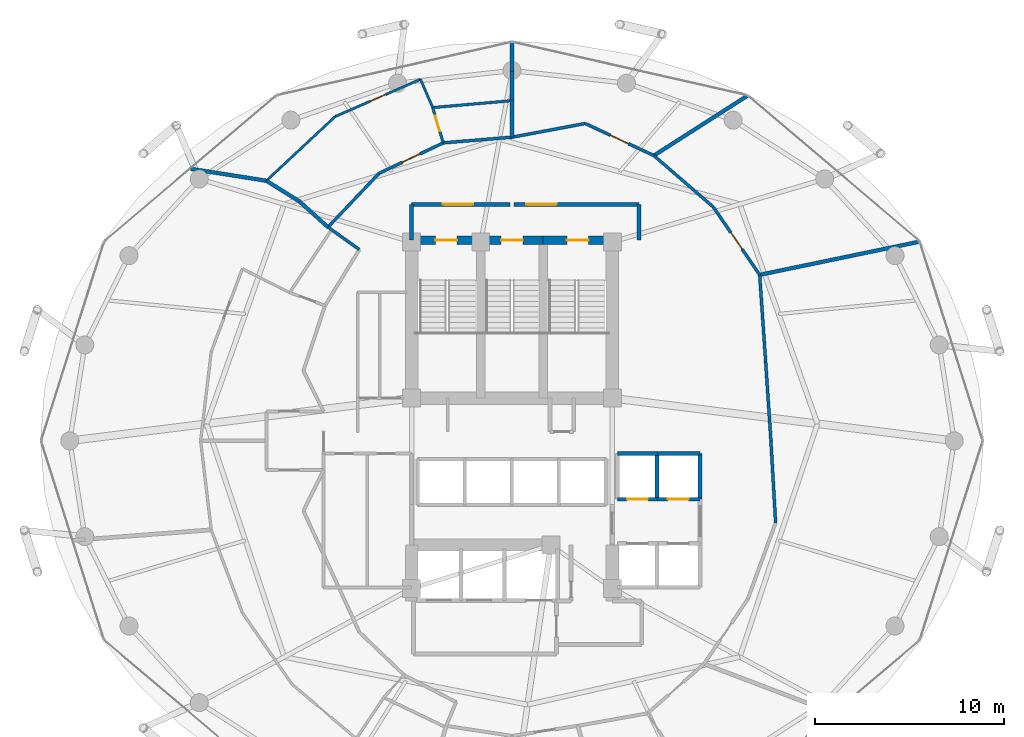
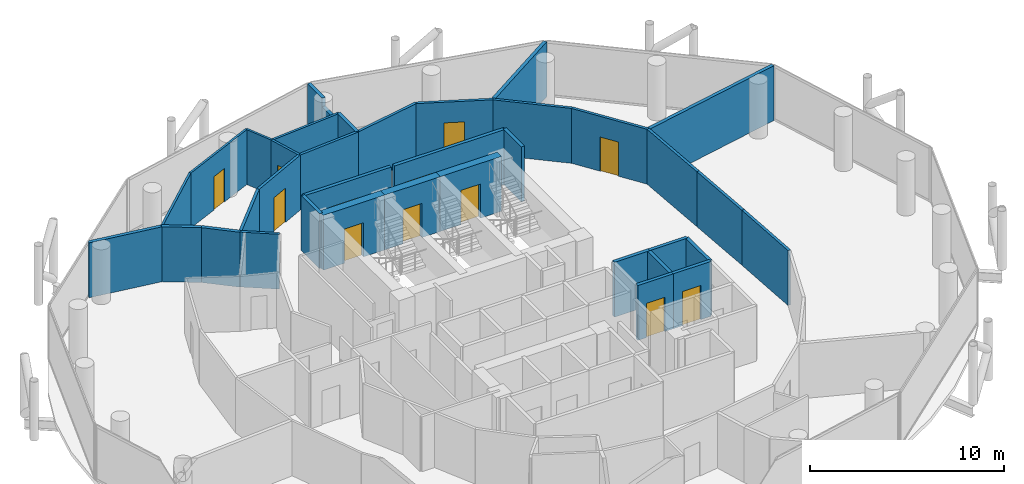
# One storey, part 24 of 26: 37 walls, 12 doors, 12 openings.
"""IFC4 building model written with IfcOpenShell, lengths in metres."""

from ifc_helpers import new_model, si_unit, direction, frame, frame_2d, origin, place, context, subcontext, project, spatial, rectangle, extrude, material, layer, layer_set, type_object, element, fill, save


model = new_model("IFC4")

# Units and contexts
model_context = context("Model", 3, precision=1e-05, world=origin(), true_north=direction((0.0, 1.0)))
body_context = subcontext(model_context, "Body", "Model", "MODEL_VIEW")
ifc_project = project(units=[si_unit("LENGTHUNIT", "METRE"), si_unit("AREAUNIT", "SQUARE_METRE"), si_unit("VOLUMEUNIT", "CUBIC_METRE"), si_unit("PLANEANGLEUNIT", "RADIAN"), si_unit("MASSUNIT", "GRAM", prefix="KILO")], contexts=[model_context])

# Site, building, storey
site_placement = place(None, origin())
site = spatial("IfcSite", under=ifc_project, at=site_placement, CompositionType="ELEMENT")
building_placement = place(site_placement, origin())
building = spatial("IfcBuilding", under=site, at=building_placement, Name="Nuhasar Tower", CompositionType="ELEMENT")
storey_placement = place(building_placement, frame((0.0, 0.0, 147.85009765625)))
storey = spatial("IfcBuildingStorey", under=building, at=storey_placement, Name="L35", CompositionType="ELEMENT", Elevation=147.85009765625)

# Wall, opening, door
ifc_material_1 = material(Name="Concrete C50/60", Category="concrete")
ifc_layer_1 = layer(ifc_material_1, 0.449951171875)
ifc_layer_set_1 = layer_set([ifc_layer_1], Name="Concrete C50/60")
wall_type_1 = type_object("IfcWallType", Name="WL-CORE-450", PredefinedType="SHEAR", material=ifc_layer_set_1)
wall_1_placement = place(storey_placement, frame((37.35009765625, 37.39990234375, 0.0), z_axis=(0.0, 0.0, 1.0), x_axis=(-1.0, 0.0, 0.0)))
wall_1 = element("IfcWall", 1, at=wall_1_placement, inside=storey, type_object=wall_type_1, Name="L35 Stairwell Shear Wall ST01-N", PredefinedType="SHEAR", context=body_context, shape_type="SweptSolid", body=[
    extrude(rectangle(XDim=3.650146484375, YDim=0.449951171875, at=frame_2d((1.8251953125, 0.0))), origin(), (0.0, 0.0, 1.0), 3.449951171875),
])
opening_1_placement = place(wall_1_placement, frame((1.25, 0.0, 0.0)))
opening_1 = element("IfcOpeningElement", 2, at=opening_1_placement, cuts=wall_1, Name="Opening DS-01", PredefinedType="OPENING", context=body_context, shape_type="SweptSolid", body=[
    extrude(rectangle(XDim=1.14990234375, YDim=2.14990234375, at=frame_2d((0.574951171875, 1.074951171875))), frame((0.0, 0.23486328125, 0.0), z_axis=(0.0, -1.0, 0.0), x_axis=(1.0, 0.0, 0.0)), (0.0, 0.0, 1.0), 0.469970703125),
])
ifc_material_2 = material(Name="Steel S355", Category="steel")
door_type_1 = type_object("IfcDoorType", Name="DR-STAIR-FD120-1150", OperationType="NOTDEFINED", PredefinedType="DOOR", material=ifc_material_2)
door_1_placement = place(opening_1_placement, origin())
door_1 = element("IfcDoor", 3, at=door_1_placement, inside=storey, type_object=door_type_1, Name="L35 Exit Stair ST-01 Door", OperationType="SINGLE_SWING_RIGHT", OverallHeight=2.14990234375, OverallWidth=1.14990234375, PredefinedType="DOOR", context=body_context, shape_type="SweptSolid", body=[
    extrude(rectangle(XDim=1.14990234375, YDim=2.14990234375, at=frame_2d((0.574951171875, 1.074951171875))), frame((0.0, 0.02490234375, 0.0), z_axis=(0.0, -1.0, 0.0), x_axis=(1.0, 0.0, 0.0)), (0.0, 0.0, 1.0), 0.050048828125),
])
fill(opening_1, door_1)

wall_2_placement = place(storey_placement, frame((40.64990234375, 37.39990234375, 0.0), z_axis=(0.0, 0.0, 1.0), x_axis=(-1.0, 0.0, 0.0)))
wall_2 = element("IfcWall", 4, at=wall_2_placement, inside=storey, type_object=wall_type_1, Name="L35 Stairwell Shear Wall ST03-N", PredefinedType="SHEAR", context=body_context, shape_type="SweptSolid", body=[
    extrude(rectangle(XDim=3.2998046875, YDim=0.449951171875, at=frame_2d((1.64990234375, 0.0))), origin(), (0.0, 0.0, 1.0), 3.449951171875),
])
opening_2_placement = place(wall_2_placement, frame((1.074951171875, 0.0, 0.0)))
opening_2 = element("IfcOpeningElement", 5, at=opening_2_placement, cuts=wall_2, Name="Opening DS-01", PredefinedType="OPENING", context=body_context, shape_type="SweptSolid", body=[
    extrude(rectangle(XDim=1.14990234375, YDim=2.14990234375, at=frame_2d((0.574951171875, 1.074951171875))), frame((0.0, 0.23486328125, 0.0), z_axis=(0.0, -1.0, 0.0), x_axis=(1.0, 0.0, 0.0)), (0.0, 0.0, 1.0), 0.469970703125),
])
door_2_placement = place(opening_2_placement, origin())
door_2 = element("IfcDoor", 6, at=door_2_placement, inside=storey, type_object=door_type_1, Name="L35 Exit Stair ST-03 Door", OperationType="SINGLE_SWING_RIGHT", OverallHeight=2.14990234375, OverallWidth=1.14990234375, PredefinedType="DOOR", context=body_context, shape_type="SweptSolid", body=[
    extrude(rectangle(XDim=1.14990234375, YDim=2.14990234375, at=frame_2d((0.574951171875, 1.074951171875))), frame((0.0, 0.02490234375, 0.0), z_axis=(0.0, -1.0, 0.0), x_axis=(1.0, 0.0, 0.0)), (0.0, 0.0, 1.0), 0.050048828125),
])
fill(opening_2, door_2)

wall_3_placement = place(storey_placement, frame((44.300048828125, 37.39990234375, 0.0), z_axis=(0.0, 0.0, 1.0), x_axis=(-1.0, 0.0, 0.0)))
wall_3 = element("IfcWall", 7, at=wall_3_placement, inside=storey, type_object=wall_type_1, Name="L35 Stairwell Shear Wall ST02-N", PredefinedType="SHEAR", context=body_context, shape_type="SweptSolid", body=[
    extrude(rectangle(XDim=3.650146484375, YDim=0.449951171875, at=frame_2d((1.8251953125, 0.0))), origin(), (0.0, 0.0, 1.0), 3.449951171875),
])
opening_3_placement = place(wall_3_placement, frame((1.25, 0.0, 0.0)))
opening_3 = element("IfcOpeningElement", 8, at=opening_3_placement, cuts=wall_3, Name="Opening DS-01", PredefinedType="OPENING", context=body_context, shape_type="SweptSolid", body=[
    extrude(rectangle(XDim=1.14990234375, YDim=2.14990234375, at=frame_2d((0.574951171875, 1.074951171875))), frame((0.0, 0.23486328125, 0.0), z_axis=(0.0, -1.0, 0.0), x_axis=(1.0, 0.0, 0.0)), (0.0, 0.0, 1.0), 0.469970703125),
])
door_3_placement = place(opening_3_placement, origin())
door_3 = element("IfcDoor", 9, at=door_3_placement, inside=storey, type_object=door_type_1, Name="L35 Exit Stair ST-02 Door", OperationType="SINGLE_SWING_LEFT", OverallHeight=2.14990234375, OverallWidth=1.14990234375, PredefinedType="DOOR", context=body_context, shape_type="SweptSolid", body=[
    extrude(rectangle(XDim=1.14990234375, YDim=2.14990234375, at=frame_2d((0.574951171875, 1.074951171875))), frame((0.0, 0.02490234375, 0.0), z_axis=(0.0, -1.0, 0.0), x_axis=(1.0, 0.0, 0.0)), (0.0, 0.0, 1.0), 0.050048828125),
])
fill(opening_3, door_3)

# Walls
ifc_material_3 = material(Name="Gypsum Board", Category="gypsum")
ifc_layer_2 = layer(ifc_material_3, 0.159912109375)
ifc_layer_set_2 = layer_set([ifc_layer_2], Name="Gypsum Board")
wall_type_2 = type_object("IfcWallType", Name="WL-CORR-160", PredefinedType="PARTITIONING", material=ifc_layer_set_2)
wall_4_placement = place(storey_placement, frame((52.91796875, 22.470947265625, 0.0), z_axis=(0.0, 0.0, 1.0), x_axis=(-0.057203717973, 0.998362526666, 0.0)))
element("IfcWall", 10, at=wall_4_placement, inside=storey, type_object=wall_type_2, Name="L35 Interior Partition CORR-46", PredefinedType="PARTITIONING", context=body_context, shape_type="SweptSolid", body=[
    extrude(rectangle(XDim=4.336181640625, YDim=0.159912109375, at=frame_2d((2.16796875, 0.0))), origin(), (0.0, 0.0, 1.0), 3.449951171875),
])
wall_5_placement = place(storey_placement, frame((52.669921875, 26.800048828125, 0.0), z_axis=(0.0, 0.0, 1.0), x_axis=(-0.066309434359, 0.997799107494, 0.0)))
element("IfcWall", 11, at=wall_5_placement, inside=storey, type_object=wall_type_2, Name="L35 Interior Partition CORR-00", PredefinedType="PARTITIONING", context=body_context, shape_type="SweptSolid", body=[
    extrude(rectangle(XDim=4.17529296875, YDim=0.159912109375, at=frame_2d((2.087646484375, 0.0))), origin(), (0.0, 0.0, 1.0), 3.449951171875),
])
wall_6_placement = place(storey_placement, frame((52.39306640625, 30.966064453125, 0.0), z_axis=(0.0, 0.0, 1.0), x_axis=(-0.068811181555, 0.997629701489, 0.0)))
element("IfcWall", 12, at=wall_6_placement, inside=storey, type_object=wall_type_2, Name="L35 Interior Partition CORR-02", PredefinedType="PARTITIONING", context=body_context, shape_type="SweptSolid", body=[
    extrude(rectangle(XDim=4.60888671875, YDim=0.159912109375, at=frame_2d((2.304443359375, 0.0))), origin(), (0.0, 0.0, 1.0), 3.449951171875),
])

# Wall, opening, door
wall_7_placement = place(storey_placement, frame((49.631103515625, 39.14306640625, 0.0), z_axis=(0.0, 0.0, 1.0), x_axis=(0.564049708202, -0.825740835055, 0.0)))
wall_7 = element("IfcWall", 13, at=wall_7_placement, inside=storey, type_object=wall_type_2, Name="L35 Interior Partition CORR-04", PredefinedType="PARTITIONING", context=body_context, shape_type="SweptSolid", body=[
    extrude(rectangle(XDim=4.33447265625, YDim=0.159912109375, at=frame_2d((2.167236328125, 0.0))), origin(), (0.0, 0.0, 1.0), 3.449951171875),
])
opening_4_placement = place(wall_7_placement, frame((1.64208984375, 0.0, 0.0)))
opening_4 = element("IfcOpeningElement", 14, at=opening_4_placement, cuts=wall_7, Name="Opening DU-01", PredefinedType="OPENING", context=body_context, shape_type="SweptSolid", body=[
    extrude(rectangle(XDim=1.050048828125, YDim=2.14990234375, at=frame_2d((0.52490234375, 1.074951171875))), frame((0.0, 0.08984375, 0.0), z_axis=(0.0, -1.0, 0.0), x_axis=(1.0, 0.0, 0.0)), (0.0, 0.0, 1.0), 0.179931640625),
])
ifc_material_4 = material(Name="Timber Oak", Category="wood")
door_type_2 = type_object("IfcDoorType", Name="DR-SUITE-FD60-1050", OperationType="NOTDEFINED", PredefinedType="DOOR", material=ifc_material_4)
door_4_placement = place(opening_4_placement, origin())
door_4 = element("IfcDoor", 15, at=door_4_placement, inside=storey, type_object=door_type_2, Name="L35 Club Buffet Kitchen Entrance Door", OperationType="SINGLE_SWING_RIGHT", OverallHeight=2.14990234375, OverallWidth=1.050048828125, PredefinedType="DOOR", context=body_context, shape_type="SweptSolid", body=[
    extrude(rectangle(XDim=1.050048828125, YDim=2.14990234375, at=frame_2d((0.52490234375, 1.074951171875))), frame((0.0, 0.02490234375, 0.0), z_axis=(0.0, -1.0, 0.0), x_axis=(1.0, 0.0, 0.0)), (0.0, 0.0, 1.0), 0.050048828125),
])
fill(opening_4, door_4)

# Wall
wall_8_placement = place(storey_placement, frame((49.631103515625, 39.14306640625, 0.0), z_axis=(0.0, 0.0, 1.0), x_axis=(-0.756415827975, 0.65409104503, 0.0)))
element("IfcWall", 16, at=wall_8_placement, inside=storey, type_object=wall_type_2, Name="L35 Interior Partition CORR-06", PredefinedType="PARTITIONING", context=body_context, shape_type="SweptSolid", body=[
    extrude(rectangle(XDim=4.15380859375, YDim=0.159912109375, at=frame_2d((2.076904296875, 0.0))), origin(), (0.0, 0.0, 1.0), 3.449951171875),
])

# Wall, opening, door
wall_9_placement = place(storey_placement, frame((42.866943359375, 43.553955078125, 0.0), z_axis=(0.0, 0.0, 1.0), x_axis=(0.905842799217, -0.423614002492, 0.0)))
wall_9 = element("IfcWall", 17, at=wall_9_placement, inside=storey, type_object=wall_type_2, Name="L35 Interior Partition CORR-08", PredefinedType="PARTITIONING", context=body_context, shape_type="SweptSolid", body=[
    extrude(rectangle(XDim=3.99853515625, YDim=0.159912109375, at=frame_2d((1.999267578125, 0.0))), origin(), (0.0, 0.0, 1.0), 3.449951171875),
])
opening_5_placement = place(wall_9_placement, frame((1.47412109375, 0.0, 0.0)))
opening_5 = element("IfcOpeningElement", 18, at=opening_5_placement, cuts=wall_9, Name="Opening DU-01", PredefinedType="OPENING", context=body_context, shape_type="SweptSolid", body=[
    extrude(rectangle(XDim=1.050048828125, YDim=2.14990234375, at=frame_2d((0.52490234375, 1.074951171875))), frame((0.0, 0.08984375, 0.0), z_axis=(0.0, -1.0, 0.0), x_axis=(1.0, 0.0, 0.0)), (0.0, 0.0, 1.0), 0.179931640625),
])
door_5_placement = place(opening_5_placement, origin())
door_5 = element("IfcDoor", 19, at=door_5_placement, inside=storey, type_object=door_type_2, Name="L35 Club Meeting Room Entrance Door", OperationType="SINGLE_SWING_RIGHT", OverallHeight=2.14990234375, OverallWidth=1.050048828125, PredefinedType="DOOR", context=body_context, shape_type="SweptSolid", body=[
    extrude(rectangle(XDim=1.050048828125, YDim=2.14990234375, at=frame_2d((0.52490234375, 1.074951171875))), frame((0.0, 0.02490234375, 0.0), z_axis=(0.0, -1.0, 0.0), x_axis=(1.0, 0.0, 0.0)), (0.0, 0.0, 1.0), 0.050048828125),
])
fill(opening_5, door_5)

# Walls
wall_10_placement = place(storey_placement, frame((42.866943359375, 43.553955078125, 0.0), z_axis=(0.0, 0.0, 1.0), x_axis=(-0.982926239859, -0.184000019015, 0.0)))
element("IfcWall", 20, at=wall_10_placement, inside=storey, type_object=wall_type_2, Name="L35 Interior Partition CORR-10", PredefinedType="PARTITIONING", context=body_context, shape_type="SweptSolid", body=[
    extrude(rectangle(XDim=3.93408203125, YDim=0.159912109375, at=frame_2d((1.967041015625, 0.0))), origin(), (0.0, 0.0, 1.0), 3.449951171875),
])
wall_11_placement = place(storey_placement, frame((39.0, 42.830078125, 0.0), z_axis=(0.0, 0.0, 1.0), x_axis=(-0.996622986435, -0.082113475813, 0.0)))
element("IfcWall", 21, at=wall_11_placement, inside=storey, type_object=wall_type_2, Name="L35 Interior Partition CORR-12", PredefinedType="PARTITIONING", context=body_context, shape_type="SweptSolid", body=[
    extrude(rectangle(XDim=3.64208984375, YDim=0.159912109375, at=frame_2d((1.821044921875, 0.0))), origin(), (0.0, 0.0, 1.0), 3.449951171875),
])

# Wall, opening, door
wall_12_placement = place(storey_placement, frame((31.97802734375, 40.919921875, 0.0), z_axis=(0.0, 0.0, 1.0), x_axis=(0.903293881329, 0.429022335029, 0.0)))
wall_12 = element("IfcWall", 22, at=wall_12_placement, inside=storey, type_object=wall_type_2, Name="L35 Interior Partition CORR-14", PredefinedType="PARTITIONING", context=body_context, shape_type="SweptSolid", body=[
    extrude(rectangle(XDim=3.755126953125, YDim=0.159912109375, at=frame_2d((1.87744140625, 0.0))), origin(), (0.0, 0.0, 1.0), 3.449951171875),
])
opening_6_placement = place(wall_12_placement, frame((1.35302734375, 0.0, 0.0)))
opening_6 = element("IfcOpeningElement", 23, at=opening_6_placement, cuts=wall_12, Name="Opening DU-01", PredefinedType="OPENING", context=body_context, shape_type="SweptSolid", body=[
    extrude(rectangle(XDim=1.050048828125, YDim=2.14990234375, at=frame_2d((0.52490234375, 1.074951171875))), frame((0.0, 0.08984375, 0.0), z_axis=(0.0, -1.0, 0.0), x_axis=(1.0, 0.0, 0.0)), (0.0, 0.0, 1.0), 0.179931640625),
])
door_6_placement = place(opening_6_placement, origin())
door_6 = element("IfcDoor", 24, at=door_6_placement, inside=storey, type_object=door_type_2, Name="L35 Marina Corner Suite 03 Entrance Door", OperationType="SINGLE_SWING_LEFT", OverallHeight=2.14990234375, OverallWidth=1.050048828125, PredefinedType="DOOR", context=body_context, shape_type="SweptSolid", body=[
    extrude(rectangle(XDim=1.050048828125, YDim=2.14990234375, at=frame_2d((0.52490234375, 1.074951171875))), frame((0.0, 0.02490234375, 0.0), z_axis=(0.0, -1.0, 0.0), x_axis=(1.0, 0.0, 0.0)), (0.0, 0.0, 1.0), 0.050048828125),
])
fill(opening_6, door_6)

# Walls
wall_13_placement = place(storey_placement, frame((31.97802734375, 40.919921875, 0.0), z_axis=(0.0, 0.0, 1.0), x_axis=(-0.688624853508, -0.725117791211, 0.0)))
element("IfcWall", 25, at=wall_13_placement, inside=storey, type_object=wall_type_2, Name="L35 Interior Partition CORR-16", PredefinedType="PARTITIONING", context=body_context, shape_type="SweptSolid", body=[
    extrude(rectangle(XDim=3.91357421875, YDim=0.159912109375, at=frame_2d((1.956787109375, 0.0))), origin(), (0.0, 0.0, 1.0), 3.449951171875),
])
wall_14_placement = place(storey_placement, frame((30.93896484375, 36.89697265625, 0.0), z_axis=(0.0, 0.0, 1.0), x_axis=(-0.813222809356, 0.581952457116, 0.0)))
element("IfcWall", 26, at=wall_14_placement, inside=storey, type_object=wall_type_2, Name="L35 Interior Partition HRAD-18-IN", PredefinedType="PARTITIONING", context=body_context, shape_type="SweptSolid", body=[
    extrude(rectangle(XDim=2.036376953125, YDim=0.159912109375, at=frame_2d((1.01806640625, 0.0))), origin(), (0.0, 0.0, 1.0), 3.449951171875),
])
ifc_material_5 = material(Name="Concrete C45/55", Category="concrete")
ifc_layer_3 = layer(ifc_material_5, 0.199951171875)
ifc_layer_set_3 = layer_set([ifc_layer_3], Name="Concrete C45/55")
wall_type_3 = type_object("IfcWallType", Name="WL-LOBBY-200", PredefinedType="SOLIDWALL", material=ifc_layer_set_3)
for number, where, z_axis, x_axis, name in (
    (27, (33.699951171875, 37.39990234375, 0.0), (0.0, 0.0, 1.0), (0.0, 1.0, 0.0), "L35 Interior Partition NSL-W"),
    (28, (45.699951171875, 37.39990234375, 0.0), (0.0, 0.0, 1.0), (0.0, 1.0, 0.0), "L35 Interior Partition NSL-E"),
):
    element("IfcWall", number, at=place(storey_placement, frame(where, z_axis=z_axis, x_axis=x_axis)), inside=storey, type_object=wall_type_3, Name=name, PredefinedType="SOLIDWALL", context=body_context, shape_type="SweptSolid", body=[
        extrude(rectangle(XDim=1.880126953125, YDim=0.199951171875, at=frame_2d((0.93994140625, 0.0))), origin(), (0.0, 0.0, 1.0), 3.449951171875),
    ])

# Wall, opening, door
wall_15_placement = place(storey_placement, frame((38.89990234375, 39.280029296875, 0.0), z_axis=(0.0, 0.0, 1.0), x_axis=(-1.0, 0.0, 0.0)))
wall_15 = element("IfcWall", 29, at=wall_15_placement, inside=storey, type_object=wall_type_3, Name="L35 Interior Partition NSL-N1", PredefinedType="SOLIDWALL", context=body_context, shape_type="SweptSolid", body=[
    extrude(rectangle(XDim=5.199951171875, YDim=0.199951171875, at=frame_2d((2.60009765625, 0.0))), origin(), (0.0, 0.0, 1.0), 3.449951171875),
])
opening_7_placement = place(wall_15_placement, frame((1.949951171875, 0.0, 0.0)))
opening_7 = element("IfcOpeningElement", 30, at=opening_7_placement, cuts=wall_15, Name="Opening DC-01", PredefinedType="OPENING", context=body_context, shape_type="SweptSolid", body=[
    extrude(rectangle(XDim=1.60009765625, YDim=2.199951171875, at=frame_2d((0.800048828125, 1.10009765625))), frame((0.0, 0.10986328125, 0.0), z_axis=(0.0, -1.0, 0.0), x_axis=(1.0, 0.0, 0.0)), (0.0, 0.0, 1.0), 0.219970703125),
])
door_type_3 = type_object("IfcDoorType", Name="DR-CORR-FD60-1600", OperationType="DOUBLE_DOOR_SINGLE_SWING", PredefinedType="DOOR", material=ifc_material_2)
door_7_placement = place(opening_7_placement, origin())
door_7 = element("IfcDoor", 31, at=door_7_placement, inside=storey, type_object=door_type_3, Name="L35 North Stair Lobby West Door", OperationType="DOUBLE_DOOR_SINGLE_SWING", OverallHeight=2.199951171875, OverallWidth=1.60009765625, PredefinedType="DOOR", context=body_context, shape_type="SweptSolid", body=[
    extrude(rectangle(XDim=1.60009765625, YDim=2.199951171875, at=frame_2d((0.800048828125, 1.10009765625))), frame((0.0, 0.02490234375, 0.0), z_axis=(0.0, -1.0, 0.0), x_axis=(1.0, 0.0, 0.0)), (0.0, 0.0, 1.0), 0.050048828125),
])
fill(opening_7, door_7)

wall_16_placement = place(storey_placement, frame((45.699951171875, 39.280029296875, 0.0), z_axis=(0.0, 0.0, 1.0), x_axis=(-1.0, 0.0, 0.0)))
wall_16 = element("IfcWall", 32, at=wall_16_placement, inside=storey, type_object=wall_type_3, Name="L35 Interior Partition NSL-N2", PredefinedType="SOLIDWALL", context=body_context, shape_type="SweptSolid", body=[
    extrude(rectangle(XDim=6.599853515625, YDim=0.199951171875, at=frame_2d((3.2998046875, 0.0))), origin(), (0.0, 0.0, 1.0), 3.449951171875),
])
opening_8_placement = place(wall_16_placement, frame((4.35009765625, 0.0, 0.0)))
opening_8 = element("IfcOpeningElement", 33, at=opening_8_placement, cuts=wall_16, Name="Opening DC-01", PredefinedType="OPENING", context=body_context, shape_type="SweptSolid", body=[
    extrude(rectangle(XDim=1.60009765625, YDim=2.199951171875, at=frame_2d((0.800048828125, 1.10009765625))), frame((0.0, 0.10986328125, 0.0), z_axis=(0.0, -1.0, 0.0), x_axis=(1.0, 0.0, 0.0)), (0.0, 0.0, 1.0), 0.219970703125),
])
door_8_placement = place(opening_8_placement, origin())
door_8 = element("IfcDoor", 34, at=door_8_placement, inside=storey, type_object=door_type_3, Name="L35 North Stair Lobby East Door", OperationType="DOUBLE_DOOR_SINGLE_SWING", OverallHeight=2.199951171875, OverallWidth=1.60009765625, PredefinedType="DOOR", context=body_context, shape_type="SweptSolid", body=[
    extrude(rectangle(XDim=1.60009765625, YDim=2.199951171875, at=frame_2d((0.800048828125, 1.10009765625))), frame((0.0, 0.02490234375, 0.0), z_axis=(0.0, -1.0, 0.0), x_axis=(1.0, 0.0, 0.0)), (0.0, 0.0, 1.0), 0.050048828125),
])
fill(opening_8, door_8)

# Wall
ifc_layer_4 = layer(ifc_material_3, 0.125)
ifc_layer_set_4 = layer_set([ifc_layer_4], Name="Gypsum Board")
wall_type_4 = type_object("IfcWallType", Name="WL-PART-125", PredefinedType="PARTITIONING", material=ifc_layer_set_4)
wall_17_placement = place(storey_placement, frame((34.81298828125, 44.39404296875, 0.0), z_axis=(0.0, 0.0, 1.0), x_axis=(-0.395456593767, 0.918484666419, 0.0)))
element("IfcWall", 35, at=wall_17_placement, inside=storey, type_object=wall_type_4, Name="L35 Interior Partition HBS-06", PredefinedType="PARTITIONING", context=body_context, shape_type="SweptSolid", body=[
    extrude(rectangle(XDim=1.628662109375, YDim=0.125, at=frame_2d((0.814453125, 0.0))), origin(), (0.0, 0.0, 1.0), 3.449951171875),
])

# Wall, opening, door
wall_18_placement = place(storey_placement, frame((29.6650390625, 43.9208984375, 0.0), z_axis=(0.0, 0.0, 1.0), x_axis=(0.916266732184, 0.400568690105, 0.0)))
wall_18 = element("IfcWall", 36, at=wall_18_placement, inside=storey, type_object=wall_type_4, Name="L35 Interior Partition HSAL-06-14", PredefinedType="PARTITIONING", context=body_context, shape_type="SweptSolid", body=[
    extrude(rectangle(XDim=4.91552734375, YDim=0.125, at=frame_2d((2.457763671875, 0.0))), origin(), (0.0, 0.0, 1.0), 3.449951171875),
])
opening_9_placement = place(wall_18_placement, frame((2.008056640625, 0.0, 0.0)))
opening_9 = element("IfcOpeningElement", 37, at=opening_9_placement, cuts=wall_18, Name="Opening DR-01", PredefinedType="OPENING", context=body_context, shape_type="SweptSolid", body=[
    extrude(rectangle(XDim=0.89990234375, YDim=2.10009765625, at=frame_2d((0.449951171875, 1.050048828125))), frame((0.0, 0.072509765625, 0.0), z_axis=(0.0, -1.0, 0.0), x_axis=(1.0, 0.0, 0.0)), (0.0, 0.0, 1.0), 0.14501953125),
])
door_type_4 = type_object("IfcDoorType", Name="DR-ROOM-900", OperationType="NOTDEFINED", PredefinedType="DOOR", material=ifc_material_4)
door_9_placement = place(opening_9_placement, origin())
door_9 = element("IfcDoor", 38, at=door_9_placement, inside=storey, type_object=door_type_4, Name="L35 Marina Corner Suite 03 Bedroom Door", OperationType="SINGLE_SWING_LEFT", OverallHeight=2.10009765625, OverallWidth=0.89990234375, PredefinedType="DOOR", context=body_context, shape_type="SweptSolid", body=[
    extrude(rectangle(XDim=0.89990234375, YDim=2.10009765625, at=frame_2d((0.449951171875, 1.050048828125))), frame((0.0, 0.02490234375, 0.0), z_axis=(0.0, -1.0, 0.0), x_axis=(1.0, 0.0, 0.0)), (0.0, 0.0, 1.0), 0.050048828125),
])
fill(opening_9, door_9)

# Wall
wall_19_placement = place(storey_placement, frame((29.6650390625, 43.9208984375, 0.0), z_axis=(0.0, 0.0, 1.0), x_axis=(-0.731151660119, -0.682214958723, 0.0)))
element("IfcWall", 39, at=wall_19_placement, inside=storey, type_object=wall_type_4, Name="L35 Interior Partition HSAL-06-16", PredefinedType="PARTITIONING", context=body_context, shape_type="SweptSolid", body=[
    extrude(rectangle(XDim=4.968994140625, YDim=0.125, at=frame_2d((2.484375, 0.0))), origin(), (0.0, 0.0, 1.0), 3.449951171875),
])

# Wall, opening, door
ifc_layer_5 = layer(ifc_material_5, 0.199951171875)
ifc_layer_set_5 = layer_set([ifc_layer_5], Name="Concrete C45/55")
wall_type_5 = type_object("IfcWallType", Name="WL-SHAFT-200", PredefinedType="SOLIDWALL", material=ifc_layer_set_5)
wall_20_placement = place(storey_placement, frame((44.570068359375, 23.719970703125, 0.0), z_axis=(0.0, 0.0, 1.0), x_axis=(1.0, 0.0, 0.0)))
wall_20 = element("IfcWall", 40, at=wall_20_placement, inside=storey, type_object=wall_type_5, Name="L35 Interior Partition SHF-PL-M01-S", PredefinedType="SOLIDWALL", context=body_context, shape_type="SweptSolid", body=[
    extrude(rectangle(XDim=2.10986328125, YDim=0.199951171875, at=frame_2d((1.054931640625, 0.0))), origin(), (0.0, 0.0, 1.0), 3.449951171875),
])
opening_10_placement = place(wall_20_placement, frame((0.5048828125, 0.0, 0.0)))
opening_10 = element("IfcOpeningElement", 41, at=opening_10_placement, cuts=wall_20, Name="Opening LD-M01", PredefinedType="OPENING", context=body_context, shape_type="SweptSolid", body=[
    extrude(rectangle(XDim=1.10009765625, YDim=2.14990234375, at=frame_2d((0.550048828125, 1.074951171875))), frame((0.0, 0.10986328125, 0.0), z_axis=(0.0, -1.0, 0.0), x_axis=(1.0, 0.0, 0.0)), (0.0, 0.0, 1.0), 0.219970703125),
])
ifc_material_6 = material(Name="Stainless Steel 316L", Category="steel")
door_type_5 = type_object("IfcDoorType", Name="LD-PAX-1100", OperationType="DOUBLE_DOOR_SLIDING", PredefinedType="DOOR", material=ifc_material_6)
door_10_placement = place(opening_10_placement, origin())
door_10 = element("IfcDoor", 42, at=door_10_placement, inside=storey, type_object=door_type_5, Name="L35 Lift Landing Door PL-M01", OperationType="DOUBLE_DOOR_SLIDING", OverallHeight=2.14990234375, OverallWidth=1.10009765625, PredefinedType="DOOR", context=body_context, shape_type="SweptSolid", body=[
    extrude(rectangle(XDim=1.10009765625, YDim=2.14990234375, at=frame_2d((0.550048828125, 1.074951171875))), frame((0.0, 0.02490234375, 0.0), z_axis=(0.0, -1.0, 0.0), x_axis=(1.0, 0.0, 0.0)), (0.0, 0.0, 1.0), 0.050048828125),
])
fill(opening_10, door_10)

# Walls
wall_21_placement = place(storey_placement, frame((44.570068359375, 26.1298828125, 0.0), z_axis=(0.0, 0.0, 1.0), x_axis=(1.0, 0.0, 0.0)))
element("IfcWall", 43, at=wall_21_placement, inside=storey, type_object=wall_type_5, Name="L35 Interior Partition SHF-PL-M01-N", PredefinedType="SOLIDWALL", context=body_context, shape_type="SweptSolid", body=[
    extrude(rectangle(XDim=2.10986328125, YDim=0.199951171875, at=frame_2d((1.054931640625, 0.0))), origin(), (0.0, 0.0, 1.0), 3.449951171875),
])
wall_22_placement = place(storey_placement, frame((46.64990234375, 23.719970703125, 0.0), z_axis=(0.0, 0.0, 1.0), x_axis=(0.0, 1.0, 0.0)))
element("IfcWall", 44, at=wall_22_placement, inside=storey, type_object=wall_type_5, Name="L35 Interior Partition SHF-PL-M01-E", PredefinedType="SOLIDWALL", context=body_context, shape_type="SweptSolid", body=[
    extrude(rectangle(XDim=2.409912109375, YDim=0.199951171875, at=frame_2d((1.205078125, 0.0))), origin(), (0.0, 0.0, 1.0), 3.449951171875),
])

# Wall, opening, door
wall_23_placement = place(storey_placement, frame((46.6201171875, 23.719970703125, 0.0), z_axis=(0.0, 0.0, 1.0), x_axis=(1.0, 0.0, 0.0)))
wall_23 = element("IfcWall", 45, at=wall_23_placement, inside=storey, type_object=wall_type_5, Name="L35 Interior Partition SHF-PL-M02-S", PredefinedType="SOLIDWALL", context=body_context, shape_type="SweptSolid", body=[
    extrude(rectangle(XDim=2.309814453125, YDim=0.199951171875, at=frame_2d((1.15478515625, 0.0))), origin(), (0.0, 0.0, 1.0), 3.449951171875),
])
opening_11_placement = place(wall_23_placement, frame((0.60498046875, 0.0, 0.0)))
opening_11 = element("IfcOpeningElement", 46, at=opening_11_placement, cuts=wall_23, Name="Opening LD-M02", PredefinedType="OPENING", context=body_context, shape_type="SweptSolid", body=[
    extrude(rectangle(XDim=1.10009765625, YDim=2.14990234375, at=frame_2d((0.550048828125, 1.074951171875))), frame((0.0, 0.10986328125, 0.0), z_axis=(0.0, -1.0, 0.0), x_axis=(1.0, 0.0, 0.0)), (0.0, 0.0, 1.0), 0.219970703125),
])
door_11_placement = place(opening_11_placement, origin())
door_11 = element("IfcDoor", 47, at=door_11_placement, inside=storey, type_object=door_type_5, Name="L35 Lift Landing Door PL-M02", OperationType="DOUBLE_DOOR_SLIDING", OverallHeight=2.14990234375, OverallWidth=1.10009765625, PredefinedType="DOOR", context=body_context, shape_type="SweptSolid", body=[
    extrude(rectangle(XDim=1.10009765625, YDim=2.14990234375, at=frame_2d((0.550048828125, 1.074951171875))), frame((0.0, 0.02490234375, 0.0), z_axis=(0.0, -1.0, 0.0), x_axis=(1.0, 0.0, 0.0)), (0.0, 0.0, 1.0), 0.050048828125),
])
fill(opening_11, door_11)

# Walls
wall_24_placement = place(storey_placement, frame((46.6201171875, 26.1298828125, 0.0), z_axis=(0.0, 0.0, 1.0), x_axis=(1.0, 0.0, 0.0)))
element("IfcWall", 48, at=wall_24_placement, inside=storey, type_object=wall_type_5, Name="L35 Interior Partition SHF-PL-M02-N", PredefinedType="SOLIDWALL", context=body_context, shape_type="SweptSolid", body=[
    extrude(rectangle(XDim=2.309814453125, YDim=0.199951171875, at=frame_2d((1.15478515625, 0.0))), origin(), (0.0, 0.0, 1.0), 3.449951171875),
])
wall_25_placement = place(storey_placement, frame((48.929931640625, 23.719970703125, 0.0), z_axis=(0.0, 0.0, 1.0), x_axis=(0.0, 1.0, 0.0)))
element("IfcWall", 49, at=wall_25_placement, inside=storey, type_object=wall_type_5, Name="L35 Interior Partition SHF-PL-M02-E", PredefinedType="SOLIDWALL", context=body_context, shape_type="SweptSolid", body=[
    extrude(rectangle(XDim=2.409912109375, YDim=0.199951171875, at=frame_2d((1.205078125, 0.0))), origin(), (0.0, 0.0, 1.0), 3.449951171875),
])
ifc_material_7 = material(Name="Concrete C40/50 precast", Category="concrete")
ifc_layer_6 = layer(ifc_material_7, 0.199951171875)
ifc_layer_set_6 = layer_set([ifc_layer_6], Name="Concrete C40/50 precast")
wall_type_6 = type_object("IfcWallType", Name="WL-UNIT-200", PredefinedType="PARTITIONING", material=ifc_layer_set_6)
wall_26_placement = place(storey_placement, frame((29.282958984375, 38.08203125, 0.0), z_axis=(0.0, 0.0, 1.0), x_axis=(-0.743001572908, 0.669289670215, 0.0)))
element("IfcWall", 50, at=wall_26_placement, inside=storey, type_object=wall_type_6, Name="L35 Interior Partition HRAD-18-OUT-S1", PredefinedType="PARTITIONING", context=body_context, shape_type="SweptSolid", body=[
    extrude(rectangle(XDim=2.03369140625, YDim=0.199951171875, at=frame_2d((1.016845703125, 0.0))), origin(), (0.0, 0.0, 1.0), 3.449951171875),
])
wall_27_placement = place(storey_placement, frame((27.77197265625, 39.443115234375, 0.0), z_axis=(0.0, 0.0, 1.0), x_axis=(-0.847911403155, 0.530137956007, 0.0)))
element("IfcWall", 51, at=wall_27_placement, inside=storey, type_object=wall_type_6, Name="L35 Interior Partition HRAD-18-OUT-S2", PredefinedType="PARTITIONING", context=body_context, shape_type="SweptSolid", body=[
    extrude(rectangle(XDim=2.052001953125, YDim=0.199951171875, at=frame_2d((1.02587890625, 0.0))), origin(), (0.0, 0.0, 1.0), 3.449951171875),
])
wall_28_placement = place(storey_placement, frame((26.031982421875, 40.531005859375, 0.0), z_axis=(0.0, 0.0, 1.0), x_axis=(-0.987792855768, 0.155773149462, 0.0)))
element("IfcWall", 52, at=wall_28_placement, inside=storey, type_object=wall_type_6, Name="L35 Interior Partition HRAD-18-OUT-S3", PredefinedType="PARTITIONING", context=body_context, shape_type="SweptSolid", body=[
    extrude(rectangle(XDim=4.037353515625, YDim=0.199951171875, at=frame_2d((2.0185546875, 0.0))), origin(), (0.0, 0.0, 1.0), 3.449951171875),
])
wall_29_placement = place(storey_placement, frame((52.075927734375, 35.56396484375, 0.0), z_axis=(0.0, 0.0, 1.0), x_axis=(0.979137140262, 0.203200542717, 0.0)))
element("IfcWall", 53, at=wall_29_placement, inside=storey, type_object=wall_type_6, Name="L35 Interior Partition HRAD-04", PredefinedType="PARTITIONING", context=body_context, shape_type="SweptSolid", body=[
    extrude(rectangle(XDim=8.6025390625, YDim=0.199951171875, at=frame_2d((4.30126953125, 0.0))), origin(), (0.0, 0.0, 1.0), 3.449951171875),
])
wall_30_placement = place(storey_placement, frame((46.489013671875, 41.860107421875, 0.0), z_axis=(0.0, 0.0, 1.0), x_axis=(0.842539863608, 0.538633992829, 0.0)))
element("IfcWall", 54, at=wall_30_placement, inside=storey, type_object=wall_type_6, Name="L35 Interior Partition HRAD-08", PredefinedType="PARTITIONING", context=body_context, shape_type="SweptSolid", body=[
    extrude(rectangle(XDim=5.84423828125, YDim=0.199951171875, at=frame_2d((2.922119140625, 0.0))), origin(), (0.0, 0.0, 1.0), 3.449951171875),
])
wall_31_placement = place(storey_placement, frame((39.0, 42.830078125, 0.0), z_axis=(0.0, 0.0, 1.0), x_axis=(0.0, 1.0, 0.0)))
element("IfcWall", 55, at=wall_31_placement, inside=storey, type_object=wall_type_6, Name="L35 Interior Partition HRAD-12-S1", PredefinedType="PARTITIONING", context=body_context, shape_type="SweptSolid", body=[
    extrude(rectangle(XDim=1.929931640625, YDim=0.199951171875, at=frame_2d((0.96484375, 0.0))), origin(), (0.0, 0.0, 1.0), 3.449951171875),
])
wall_32_placement = place(storey_placement, frame((39.0, 44.760009765625, 0.0), z_axis=(0.0, 0.0, 1.0), x_axis=(0.0, 1.0, 0.0)))
element("IfcWall", 56, at=wall_32_placement, inside=storey, type_object=wall_type_6, Name="L35 Interior Partition HRAD-12-S2", PredefinedType="PARTITIONING", context=body_context, shape_type="SweptSolid", body=[
    extrude(rectangle(XDim=1.550048828125, YDim=0.199951171875, at=frame_2d((0.77490234375, 0.0))), origin(), (0.0, 0.0, 1.0), 2.914794921875),
])
wall_33_placement = place(storey_placement, frame((39.0, 46.31005859375, 0.0), z_axis=(0.0, 0.0, 1.0), x_axis=(0.0, 1.0, 0.0)))
element("IfcWall", 57, at=wall_33_placement, inside=storey, type_object=wall_type_6, Name="L35 Interior Partition HRAD-12-S3", PredefinedType="PARTITIONING", context=body_context, shape_type="SweptSolid", body=[
    extrude(rectangle(XDim=1.514892578125, YDim=0.199951171875, at=frame_2d((0.75732421875, 0.0))), origin(), (0.0, 0.0, 1.0), 3.449951171875),
])

# Wall, opening, door
ifc_layer_7 = layer(ifc_material_7, 0.139892578125)
ifc_layer_set_7 = layer_set([ifc_layer_7], Name="Concrete C40/50 precast")
wall_type_7 = type_object("IfcWallType", Name="WL-WET-140", PredefinedType="PARTITIONING", material=ifc_layer_set_7)
wall_34_placement = place(storey_placement, frame((35.3701171875, 42.531005859375, 0.0), z_axis=(0.0, 0.0, 1.0), x_axis=(-0.286506930023, 0.958078169592, 0.0)))
wall_34 = element("IfcWall", 58, at=wall_34_placement, inside=storey, type_object=wall_type_7, Name="L35 Interior Partition HBW-06", PredefinedType="PARTITIONING", context=body_context, shape_type="SweptSolid", body=[
    extrude(rectangle(XDim=1.944580078125, YDim=0.139892578125, at=frame_2d((0.97216796875, 0.0))), origin(), (0.0, 0.0, 1.0), 3.449951171875),
])
opening_12_placement = place(wall_34_placement, frame((0.64404296875, 0.0, 0.0)))
opening_12 = element("IfcOpeningElement", 59, at=opening_12_placement, cuts=wall_34, Name="Opening DB-01", PredefinedType="OPENING", context=body_context, shape_type="SweptSolid", body=[
    extrude(rectangle(XDim=0.85009765625, YDim=2.10009765625, at=frame_2d((0.425048828125, 1.050048828125))), frame((0.0, 0.080078125, 0.0), z_axis=(0.0, -1.0, 0.0), x_axis=(1.0, 0.0, 0.0)), (0.0, 0.0, 1.0), 0.159912109375),
])
door_type_6 = type_object("IfcDoorType", Name="DR-BATH-850", OperationType="NOTDEFINED", PredefinedType="DOOR", material=ifc_material_4)
door_12_placement = place(opening_12_placement, origin())
door_12 = element("IfcDoor", 60, at=door_12_placement, inside=storey, type_object=door_type_6, Name="L35 Marina Corner Suite 03 En-Suite Door", OperationType="SINGLE_SWING_RIGHT", OverallHeight=2.10009765625, OverallWidth=0.85009765625, PredefinedType="DOOR", context=body_context, shape_type="SweptSolid", body=[
    extrude(rectangle(XDim=0.85009765625, YDim=2.10009765625, at=frame_2d((0.425048828125, 1.050048828125))), frame((0.0, 0.02490234375, 0.0), z_axis=(0.0, -1.0, 0.0), x_axis=(1.0, 0.0, 0.0)), (0.0, 0.0, 1.0), 0.050048828125),
])
fill(opening_12, door_12)

# Wall
wall_35_placement = place(storey_placement, frame((39.0, 44.760009765625, 0.0), z_axis=(0.0, 0.0, 1.0), x_axis=(-0.996201909664, -0.087073274786, 0.0)))
element("IfcWall", 61, at=wall_35_placement, inside=storey, type_object=wall_type_7, Name="L35 Interior Partition HBF-06-12", PredefinedType="PARTITIONING", context=body_context, shape_type="SweptSolid", body=[
    extrude(rectangle(XDim=4.202880859375, YDim=0.139892578125, at=frame_2d((2.1015625, 0.0))), origin(), (0.0, 0.0, 1.0), 3.449951171875),
])

save(model, "model.ifc")
